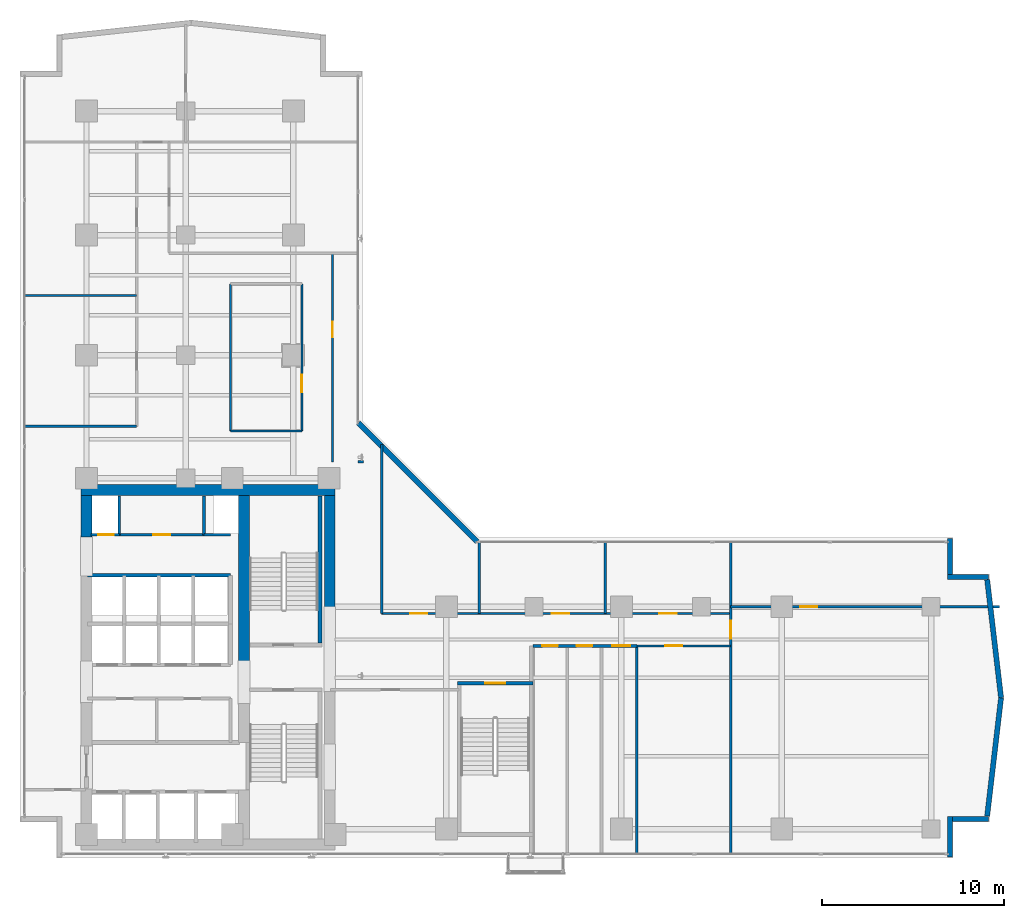
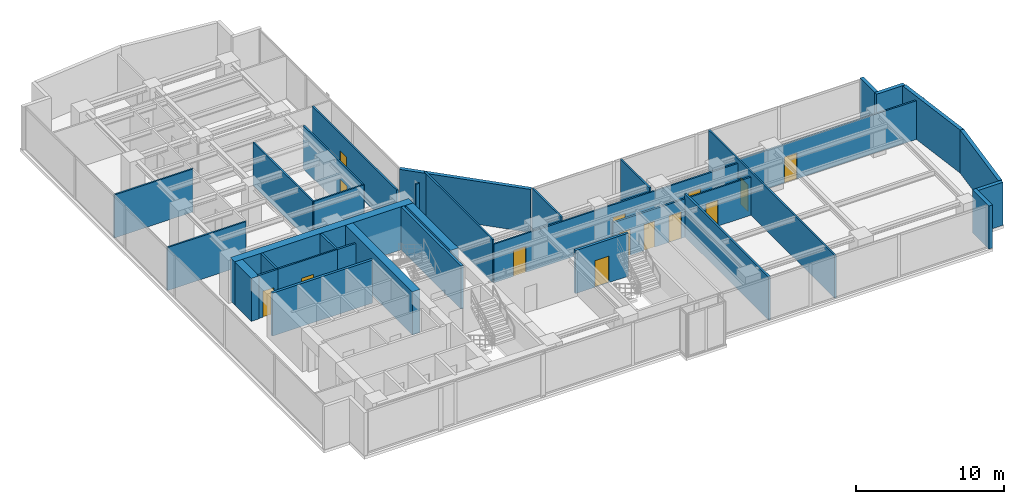
# One storey, part 20 of 23: 35 walls, 14 doors, 14 openings.
"""IFC4 building model written with IfcOpenShell, lengths in metres."""

from ifc_helpers import new_model, si_unit, direction, frame, frame_2d, origin, place, context, subcontext, project, spatial, rectangle, extrude, material, layer, layer_set, type_object, element, fill, save


model = new_model("IFC4")

# Units and contexts
model_context = context("Model", 3, precision=1e-05, world=origin(), true_north=direction((0.0, 1.0)))
body_context = subcontext(model_context, "Body", "Model", "MODEL_VIEW")
ifc_project = project(units=[si_unit("LENGTHUNIT", "METRE"), si_unit("AREAUNIT", "SQUARE_METRE"), si_unit("VOLUMEUNIT", "CUBIC_METRE"), si_unit("PLANEANGLEUNIT", "RADIAN"), si_unit("MASSUNIT", "GRAM", prefix="KILO")], contexts=[model_context])

# Site, building, storey
site_placement = place(None, origin())
site = spatial("IfcSite", under=ifc_project, at=site_placement, CompositionType="ELEMENT")
building_placement = place(site_placement, origin())
building = spatial("IfcBuilding", under=site, at=building_placement, Name="Kolvaren Waterfront Exchange", CompositionType="ELEMENT")
storey_placement = place(building_placement, frame((0.0, 0.0, 188.0)))
storey = spatial("IfcBuildingStorey", under=building, at=storey_placement, Name="L48", CompositionType="ELEMENT", Elevation=188.0)

# Walls
ifc_material_1 = material(Name="Precast concrete C40/50", Category="concrete")
ifc_layer_1 = layer(ifc_material_1, 0.280029296875, Name="Precast concrete C40/50")
ifc_layer_set_1 = layer_set([ifc_layer_1], Name="Precast concrete C40/50")
wall_type_1 = type_object("IfcWallType", Name="ARC-EXT-TERR-280", PredefinedType="SOLIDWALL", material=ifc_layer_set_1)
wall_1_placement = place(storey_placement, frame((54.840087890625, 3.659912109375, 0.0), z_axis=(0.0, 0.0, 1.0), x_axis=(0.0, 1.0, 0.0)))
element("IfcWall", 1, at=wall_1_placement, inside=storey, type_object=wall_type_1, Name="L48 notched corner spandrel pier SE-A", PredefinedType="SOLIDWALL", context=body_context, shape_type="SweptSolid", body=[
    extrude(rectangle(XDim=2.239990234375, YDim=0.280029296875, at=frame_2d((1.1201171875, 0.0))), origin(), (0.0, 0.0, 1.0), 3.56005859375),
])
wall_2_placement = place(storey_placement, frame((54.97998046875, 5.760009765625, 0.0), z_axis=(0.0, 0.0, 1.0), x_axis=(1.0, 0.0, 0.0)))
element("IfcWall", 2, at=wall_2_placement, inside=storey, type_object=wall_type_1, Name="L48 notched corner spandrel pier SE-B", PredefinedType="SOLIDWALL", context=body_context, shape_type="SweptSolid", body=[
    extrude(rectangle(XDim=1.9599609375, YDim=0.280029296875, at=frame_2d((0.97998046875, 0.0))), origin(), (0.0, 0.0, 1.0), 3.56005859375),
])
wall_3_placement = place(storey_placement, frame((54.840087890625, 19.1650390625, 0.0), z_axis=(0.0, 0.0, 1.0), x_axis=(0.0, 1.0, 0.0)))
element("IfcWall", 3, at=wall_3_placement, inside=storey, type_object=wall_type_1, Name="L48 notched corner spandrel pier ENE-A", PredefinedType="SOLIDWALL", context=body_context, shape_type="SweptSolid", body=[
    extrude(rectangle(XDim=1.974853515625, YDim=0.280029296875, at=frame_2d((0.9873046875, 0.0))), origin(), (0.0, 0.0, 1.0), 3.56005859375),
])
wall_4_placement = place(storey_placement, frame((54.699951171875, 19.0400390625, 0.0), z_axis=(0.0, 0.0, 1.0), x_axis=(1.0, 0.0, 0.0)))
element("IfcWall", 4, at=wall_4_placement, inside=storey, type_object=wall_type_1, Name="L48 notched corner spandrel pier ENE-B", PredefinedType="SOLIDWALL", context=body_context, shape_type="SweptSolid", body=[
    extrude(rectangle(XDim=2.239990234375, YDim=0.280029296875, at=frame_2d((1.1201171875, 0.0))), origin(), (0.0, 0.0, 1.0), 3.56005859375),
])
wall_5_placement = place(storey_placement, frame((28.885009765625, 20.97509765625, 0.0), z_axis=(0.0, 0.0, 1.0), x_axis=(-0.707106781187, 0.707106781187, 0.0)))
element("IfcWall", 5, at=wall_5_placement, inside=storey, type_object=wall_type_1, Name="L48 notched corner spandrel pier ELBOW", PredefinedType="SOLIDWALL", context=body_context, shape_type="SweptSolid", body=[
    extrude(rectangle(XDim=9.20654296875, YDim=0.280029296875, at=frame_2d((4.603271484375, 0.0))), origin(), (0.0, 0.0, 1.0), 3.56005859375),
])
for number, where, z_axis, x_axis, name in (
    (6, (56.876220703125, 5.91650390625, 0.0), (0.0, 0.0, 1.0), (0.11685426921, 0.993149072278, 0.0), "L48 east prow faceted facade wall 1"),
    (7, (57.638916015625, 12.401123046875, 0.0), (0.0, 0.0, 1.0), (-0.11685426921, 0.993149072278, 0.0), "L48 east prow faceted facade wall 2"),
):
    element("IfcWall", number, at=place(storey_placement, frame(where, z_axis=z_axis, x_axis=x_axis)), inside=storey, type_object=wall_type_1, Name=name, PredefinedType="SOLIDWALL", context=body_context, shape_type="SweptSolid", body=[
        extrude(rectangle(XDim=6.52685546875, YDim=0.280029296875, at=frame_2d((3.263427734375, 0.0))), origin(), (0.0, 0.0, 1.0), 3.56005859375),
    ])

# Wall, opening, door
ifc_material_2 = material(Name="Acoustic gypsum steel stud", Category="steel")
ifc_layer_2 = layer(ifc_material_2, 0.125, Name="Acoustic gypsum steel stud")
ifc_layer_set_2 = layer_set([ifc_layer_2], Name="Acoustic gypsum steel stud")
wall_type_2 = type_object("IfcWallType", Name="ARC-PART-125", PredefinedType="PARTITIONING", material=ifc_layer_set_2)
wall_6_placement = place(storey_placement, frame((9.25, 21.35009765625, 0.0), z_axis=(0.0, 0.0, 1.0), x_axis=(1.0, 0.0, 0.0)))
wall_6 = element("IfcWall", 8, at=wall_6_placement, inside=storey, type_object=wall_type_2, Name="L48 interior wall PW-L48-SVC-EX-S", PredefinedType="PARTITIONING", context=body_context, shape_type="SweptSolid", body=[
    extrude(rectangle(XDim=4.64990234375, YDim=0.125, at=frame_2d((2.324951171875, 0.0))), origin(), (0.0, 0.0, 1.0), 3.56005859375),
])
opening_1_placement = place(wall_6_placement, frame((1.85009765625, 0.0, 0.0)))
opening_1 = element("IfcOpeningElement", 9, at=opening_1_placement, cuts=wall_6, Name="Opening D02", PredefinedType="OPENING", context=body_context, shape_type="SweptSolid", body=[
    extrude(rectangle(XDim=0.949951171875, YDim=2.14990234375, at=frame_2d((0.47509765625, 1.074951171875))), frame((0.0, 0.072509765625, 0.0), z_axis=(0.0, -1.0, 0.0), x_axis=(1.0, 0.0, 0.0)), (0.0, 0.0, 1.0), 0.14501953125),
])
ifc_material_3 = material(Name="Oak veneer acoustic timber", Category="wood")
door_type_1 = type_object("IfcDoorType", Name="ARC-DR-950", OperationType="NOTDEFINED", PredefinedType="DOOR", material=ifc_material_3)
door_1_placement = place(opening_1_placement, origin())
door_1 = element("IfcDoor", 10, at=door_1_placement, inside=storey, type_object=door_type_1, Name="L48 door DR-L48-SVC-DR-1 (D02)", OperationType="SINGLE_SWING_LEFT", OverallHeight=2.14990234375, OverallWidth=0.949951171875, PredefinedType="DOOR", context=body_context, shape_type="SweptSolid", body=[
    extrude(rectangle(XDim=0.949951171875, YDim=2.14990234375, at=frame_2d((0.47509765625, 1.074951171875))), frame((0.0, 0.02490234375, 0.0), z_axis=(0.0, -1.0, 0.0), x_axis=(1.0, 0.0, 0.0)), (0.0, 0.0, 1.0), 0.050048828125),
])
fill(opening_1, door_1)

# Walls
wall_7_placement = place(storey_placement, frame((15.35009765625, 27.050048828125, 0.0), z_axis=(0.0, 0.0, 1.0), x_axis=(1.0, 0.0, 0.0)))
element("IfcWall", 11, at=wall_7_placement, inside=storey, type_object=wall_type_2, Name="L48 interior wall PW-L48-ISL-S", PredefinedType="PARTITIONING", context=body_context, shape_type="SweptSolid", body=[
    extrude(rectangle(XDim=3.919921875, YDim=0.125, at=frame_2d((1.9599609375, 0.0))), origin(), (0.0, 0.0, 1.0), 3.56005859375),
])
wall_8_placement = place(storey_placement, frame((15.35009765625, 27.050048828125, 0.0), z_axis=(0.0, 0.0, 1.0), x_axis=(0.0, 1.0, 0.0)))
element("IfcWall", 12, at=wall_8_placement, inside=storey, type_object=wall_type_2, Name="L48 interior wall PW-L48-ISL-W", PredefinedType="PARTITIONING", context=body_context, shape_type="SweptSolid", body=[
    extrude(rectangle(XDim=8.070068359375, YDim=0.125, at=frame_2d((4.03515625, 0.0))), origin(), (0.0, 0.0, 1.0), 3.56005859375),
])

# Wall, opening, door
wall_9_placement = place(storey_placement, frame((19.27001953125, 27.050048828125, 0.0), z_axis=(0.0, 0.0, 1.0), x_axis=(0.0, 1.0, 0.0)))
wall_9 = element("IfcWall", 13, at=wall_9_placement, inside=storey, type_object=wall_type_2, Name="L48 interior wall PW-L48-ISL-E", PredefinedType="PARTITIONING", context=body_context, shape_type="SweptSolid", body=[
    extrude(rectangle(XDim=8.070068359375, YDim=0.125, at=frame_2d((4.03515625, 0.0))), origin(), (0.0, 0.0, 1.0), 3.56005859375),
])
opening_2_placement = place(wall_9_placement, frame((2.126708984375, 0.0, 0.0)))
opening_2 = element("IfcOpeningElement", 14, at=opening_2_placement, cuts=wall_9, Name="Opening D02", PredefinedType="OPENING", context=body_context, shape_type="SweptSolid", body=[
    extrude(rectangle(XDim=0.949951171875, YDim=2.14990234375, at=frame_2d((0.47509765625, 1.074951171875))), frame((0.0, 0.072509765625, 0.0), z_axis=(0.0, -1.0, 0.0), x_axis=(1.0, 0.0, 0.0)), (0.0, 0.0, 1.0), 0.14501953125),
])
door_2_placement = place(opening_2_placement, origin())
door_2 = element("IfcDoor", 15, at=door_2_placement, inside=storey, type_object=door_type_1, Name="L48 door DR-L48-ISL-D (D02)", OperationType="SINGLE_SWING_RIGHT", OverallHeight=2.14990234375, OverallWidth=0.949951171875, PredefinedType="DOOR", context=body_context, shape_type="SweptSolid", body=[
    extrude(rectangle(XDim=0.949951171875, YDim=2.14990234375, at=frame_2d((0.47509765625, 1.074951171875))), frame((0.0, 0.02490234375, 0.0), z_axis=(0.0, -1.0, 0.0), x_axis=(1.0, 0.0, 0.0)), (0.0, 0.0, 1.0), 0.050048828125),
])
fill(opening_2, door_2)

wall_10_placement = place(storey_placement, frame((20.949951171875, 25.35009765625, 0.0), z_axis=(0.0, 0.0, 1.0), x_axis=(0.0, 1.0, 0.0)))
wall_10 = element("IfcWall", 16, at=wall_10_placement, inside=storey, type_object=wall_type_2, Name="L48 interior wall PW-L48-RFLANK-W", PredefinedType="PARTITIONING", context=body_context, shape_type="SweptSolid", body=[
    extrude(rectangle(XDim=11.449951171875, YDim=0.125, at=frame_2d((5.72509765625, 0.0))), origin(), (0.0, 0.0, 1.0), 3.56005859375),
])
opening_3_placement = place(wall_10_placement, frame((6.834716796875, 0.0, 0.0)))
opening_3 = element("IfcOpeningElement", 17, at=opening_3_placement, cuts=wall_10, Name="Opening D01", PredefinedType="OPENING", context=body_context, shape_type="SweptSolid", body=[
    extrude(rectangle(XDim=0.85009765625, YDim=2.14990234375, at=frame_2d((0.425048828125, 1.074951171875))), frame((0.0, 0.072509765625, 0.0), z_axis=(0.0, -1.0, 0.0), x_axis=(1.0, 0.0, 0.0)), (0.0, 0.0, 1.0), 0.14501953125),
])
ifc_material_4 = material(Name="Oak veneer timber leaf", Category="wood")
door_type_2 = type_object("IfcDoorType", Name="ARC-DR-900", OperationType="NOTDEFINED", PredefinedType="DOOR", material=ifc_material_4)
door_3_placement = place(opening_3_placement, origin())
door_3 = element("IfcDoor", 18, at=door_3_placement, inside=storey, type_object=door_type_2, Name="L48 door DR-L48-RFLANK-D (D01)", OperationType="SINGLE_SWING_RIGHT", OverallHeight=2.14990234375, OverallWidth=0.85009765625, PredefinedType="DOOR", context=body_context, shape_type="SweptSolid", body=[
    extrude(rectangle(XDim=0.85009765625, YDim=2.14990234375, at=frame_2d((0.425048828125, 1.074951171875))), frame((0.0, 0.02490234375, 0.0), z_axis=(0.0, -1.0, 0.0), x_axis=(1.0, 0.0, 0.0)), (0.0, 0.0, 1.0), 0.050048828125),
])
fill(opening_3, door_3)

# Wall
wall_11_placement = place(storey_placement, frame((22.64990234375, 25.35009765625, 0.0), z_axis=(0.0, 0.0, 1.0), x_axis=(-1.0, 0.0, 0.0)))
element("IfcWall", 19, at=wall_11_placement, inside=storey, type_object=wall_type_2, Name="L48 interior wall PW-L48-RFLANK-S", PredefinedType="PARTITIONING", context=body_context, shape_type="SweptSolid", body=[
    extrude(rectangle(XDim=0.289794921875, YDim=0.125, at=frame_2d((0.14501953125, 0.0))), origin(), (0.0, 0.0, 1.0), 3.56005859375),
])

# Wall, opening, door
wall_12_placement = place(storey_placement, frame((37.64990234375, 15.25, 0.0), z_axis=(0.0, 0.0, 1.0), x_axis=(1.0, 0.0, 0.0)))
wall_12 = element("IfcWall", 20, at=wall_12_placement, inside=storey, type_object=wall_type_2, Name="L48 interior wall PW-L48-ES-CORR", PredefinedType="PARTITIONING", context=body_context, shape_type="SweptSolid", body=[
    extrude(rectangle(XDim=5.150146484375, YDim=0.125, at=frame_2d((2.5751953125, 0.0))), origin(), (0.0, 0.0, 1.0), 3.159912109375),
])
opening_4_placement = place(wall_12_placement, frame((1.552978515625, 0.0, 0.0)))
opening_4 = element("IfcOpeningElement", 21, at=opening_4_placement, cuts=wall_12, Name="Opening D02", PredefinedType="OPENING", context=body_context, shape_type="SweptSolid", body=[
    extrude(rectangle(XDim=0.949951171875, YDim=2.14990234375, at=frame_2d((0.47509765625, 1.074951171875))), frame((0.0, 0.072509765625, 0.0), z_axis=(0.0, -1.0, 0.0), x_axis=(1.0, 0.0, 0.0)), (0.0, 0.0, 1.0), 0.14501953125),
])
door_4_placement = place(opening_4_placement, origin())
door_4 = element("IfcDoor", 22, at=door_4_placement, inside=storey, type_object=door_type_1, Name="L48 door DR-L48-ES-D-1 (D02)", OperationType="SINGLE_SWING_LEFT", OverallHeight=2.14990234375, OverallWidth=0.949951171875, PredefinedType="DOOR", context=body_context, shape_type="SweptSolid", body=[
    extrude(rectangle(XDim=0.949951171875, YDim=2.14990234375, at=frame_2d((0.47509765625, 1.074951171875))), frame((0.0, 0.02490234375, 0.0), z_axis=(0.0, -1.0, 0.0), x_axis=(1.0, 0.0, 0.0)), (0.0, 0.0, 1.0), 0.050048828125),
])
fill(opening_4, door_4)

wall_13_placement = place(storey_placement, frame((42.800048828125, 3.840087890625, 0.0), z_axis=(0.0, 0.0, 1.0), x_axis=(0.0, 1.0, 0.0)))
wall_13 = element("IfcWall", 23, at=wall_13_placement, inside=storey, type_object=wall_type_2, Name="L48 interior wall PW-L48-ETIP-W", PredefinedType="PARTITIONING", context=body_context, shape_type="SweptSolid", body=[
    extrude(rectangle(XDim=17.119873046875, YDim=0.125, at=frame_2d((8.56005859375, 0.0))), origin(), (0.0, 0.0, 1.0), 3.56005859375),
])
opening_5_placement = place(wall_13_placement, frame((11.800048828125, 0.0, 0.0)))
opening_5 = element("IfcOpeningElement", 24, at=opening_5_placement, cuts=wall_13, Name="Opening D03", PredefinedType="OPENING", context=body_context, shape_type="SweptSolid", body=[
    extrude(rectangle(XDim=1.0, YDim=2.199951171875, at=frame_2d((0.5, 1.10009765625))), frame((0.0, 0.072509765625, 0.0), z_axis=(0.0, -1.0, 0.0), x_axis=(1.0, 0.0, 0.0)), (0.0, 0.0, 1.0), 0.14501953125),
])
ifc_material_5 = material(Name="Oak veneer accessible timber", Category="wood")
door_type_3 = type_object("IfcDoorType", Name="ARC-DR-1000", OperationType="NOTDEFINED", PredefinedType="DOOR", material=ifc_material_5)
door_5_placement = place(opening_5_placement, origin())
door_5 = element("IfcDoor", 25, at=door_5_placement, inside=storey, type_object=door_type_3, Name="L48 door DR-L48-ETIP1-D (D03)", OperationType="SINGLE_SWING_RIGHT", OverallHeight=2.199951171875, OverallWidth=1.0, PredefinedType="DOOR", context=body_context, shape_type="SweptSolid", body=[
    extrude(rectangle(XDim=1.0, YDim=2.199951171875, at=frame_2d((0.5, 1.10009765625))), frame((0.0, 0.02490234375, 0.0), z_axis=(0.0, -1.0, 0.0), x_axis=(1.0, 0.0, 0.0)), (0.0, 0.0, 1.0), 0.050048828125),
])
fill(opening_5, door_5)

wall_14_placement = place(storey_placement, frame((42.800048828125, 17.39990234375, 0.0), z_axis=(0.0, 0.0, 1.0), x_axis=(1.0, 0.0, 0.0)))
wall_14 = element("IfcWall", 26, at=wall_14_placement, inside=storey, type_object=wall_type_2, Name="L48 interior wall PW-L48-ETIP-MID", PredefinedType="PARTITIONING", context=body_context, shape_type="SweptSolid", body=[
    extrude(rectangle(XDim=14.760009765625, YDim=0.125, at=frame_2d((7.3798828125, 0.0))), origin(), (0.0, 0.0, 1.0), 3.199951171875),
])
opening_6_placement = place(wall_14_placement, frame((3.8125, 0.0, 0.0)))
opening_6 = element("IfcOpeningElement", 27, at=opening_6_placement, cuts=wall_14, Name="Opening D02", PredefinedType="OPENING", context=body_context, shape_type="SweptSolid", body=[
    extrude(rectangle(XDim=0.949951171875, YDim=2.14990234375, at=frame_2d((0.47509765625, 1.074951171875))), frame((0.0, 0.072509765625, 0.0), z_axis=(0.0, -1.0, 0.0), x_axis=(1.0, 0.0, 0.0)), (0.0, 0.0, 1.0), 0.14501953125),
])
door_6_placement = place(opening_6_placement, origin())
door_6 = element("IfcDoor", 28, at=door_6_placement, inside=storey, type_object=door_type_1, Name="L48 door DR-L48-ETIP2-D (D02)", OperationType="SINGLE_SWING_LEFT", OverallHeight=2.14990234375, OverallWidth=0.949951171875, PredefinedType="DOOR", context=body_context, shape_type="SweptSolid", body=[
    extrude(rectangle(XDim=0.949951171875, YDim=2.14990234375, at=frame_2d((0.47509765625, 1.074951171875))), frame((0.0, 0.02490234375, 0.0), z_axis=(0.0, -1.0, 0.0), x_axis=(1.0, 0.0, 0.0)), (0.0, 0.0, 1.0), 0.050048828125),
])
fill(opening_6, door_6)

# Wall
wall_15_placement = place(storey_placement, frame((23.64990234375, 17.030029296875, 0.0), z_axis=(0.0, 0.0, 1.0), x_axis=(0.0, 1.0, 0.0)))
element("IfcWall", 29, at=wall_15_placement, inside=storey, type_object=wall_type_2, Name="L48 interior wall PW-L48-EN-W0", PredefinedType="PARTITIONING", context=body_context, shape_type="SweptSolid", body=[
    extrude(rectangle(XDim=9.280029296875, YDim=0.125, at=frame_2d((4.64013671875, 0.0))), origin(), (0.0, 0.0, 1.0), 3.56005859375),
])

# Wall, openings, doors
wall_16_placement = place(storey_placement, frame((23.64990234375, 17.030029296875, 0.0), z_axis=(0.0, 0.0, 1.0), x_axis=(1.0, 0.0, 0.0)))
wall_16 = element("IfcWall", 30, at=wall_16_placement, inside=storey, type_object=wall_type_2, Name="L48 interior wall PW-L48-EN-CORR", PredefinedType="PARTITIONING", context=body_context, shape_type="SweptSolid", body=[
    extrude(rectangle(XDim=19.150146484375, YDim=0.125, at=frame_2d((9.5751953125, 0.0))), origin(), (0.0, 0.0, 1.0), 3.199951171875),
])
opening_7_placement = place(wall_16_placement, frame((1.55517578125, 0.0, 0.0)))
opening_7 = element("IfcOpeningElement", 31, at=opening_7_placement, cuts=wall_16, Name="Opening D02", PredefinedType="OPENING", context=body_context, shape_type="SweptSolid", body=[
    extrude(rectangle(XDim=0.949951171875, YDim=2.14990234375, at=frame_2d((0.47509765625, 1.074951171875))), frame((0.0, 0.072509765625, 0.0), z_axis=(0.0, -1.0, 0.0), x_axis=(1.0, 0.0, 0.0)), (0.0, 0.0, 1.0), 0.14501953125),
])
opening_8_placement = place(wall_16_placement, frame((9.33642578125, 0.0, 0.0)))
opening_8 = element("IfcOpeningElement", 32, at=opening_8_placement, cuts=wall_16, Name="Opening D02", PredefinedType="OPENING", context=body_context, shape_type="SweptSolid", body=[
    extrude(rectangle(XDim=0.949951171875, YDim=2.14990234375, at=frame_2d((0.47509765625, 1.074951171875))), frame((0.0, 0.072509765625, 0.0), z_axis=(0.0, -1.0, 0.0), x_axis=(1.0, 0.0, 0.0)), (0.0, 0.0, 1.0), 0.14501953125),
])
opening_9_placement = place(wall_16_placement, frame((15.22998046875, 0.0, 0.0)))
opening_9 = element("IfcOpeningElement", 33, at=opening_9_placement, cuts=wall_16, Name="Opening D02", PredefinedType="OPENING", context=body_context, shape_type="SweptSolid", body=[
    extrude(rectangle(XDim=0.949951171875, YDim=2.14990234375, at=frame_2d((0.47509765625, 1.074951171875))), frame((0.0, 0.072509765625, 0.0), z_axis=(0.0, -1.0, 0.0), x_axis=(1.0, 0.0, 0.0)), (0.0, 0.0, 1.0), 0.14501953125),
])
door_7_placement = place(opening_7_placement, origin())
door_7 = element("IfcDoor", 34, at=door_7_placement, inside=storey, type_object=door_type_1, Name="L48 door DR-L48-EN-D-1 (D02)", OperationType="SINGLE_SWING_RIGHT", OverallHeight=2.14990234375, OverallWidth=0.949951171875, PredefinedType="DOOR", context=body_context, shape_type="SweptSolid", body=[
    extrude(rectangle(XDim=0.949951171875, YDim=2.14990234375, at=frame_2d((0.47509765625, 1.074951171875))), frame((0.0, 0.02490234375, 0.0), z_axis=(0.0, -1.0, 0.0), x_axis=(1.0, 0.0, 0.0)), (0.0, 0.0, 1.0), 0.050048828125),
])
fill(opening_7, door_7)
door_8_placement = place(opening_8_placement, origin())
door_8 = element("IfcDoor", 35, at=door_8_placement, inside=storey, type_object=door_type_1, Name="L48 door DR-L48-EN-D-2 (D02)", OperationType="SINGLE_SWING_LEFT", OverallHeight=2.14990234375, OverallWidth=0.949951171875, PredefinedType="DOOR", context=body_context, shape_type="SweptSolid", body=[
    extrude(rectangle(XDim=0.949951171875, YDim=2.14990234375, at=frame_2d((0.47509765625, 1.074951171875))), frame((0.0, 0.02490234375, 0.0), z_axis=(0.0, -1.0, 0.0), x_axis=(1.0, 0.0, 0.0)), (0.0, 0.0, 1.0), 0.050048828125),
])
fill(opening_8, door_8)
door_9_placement = place(opening_9_placement, origin())
door_9 = element("IfcDoor", 36, at=door_9_placement, inside=storey, type_object=door_type_1, Name="L48 door DR-L48-EN-D-3 (D02)", OperationType="SINGLE_SWING_RIGHT", OverallHeight=2.14990234375, OverallWidth=0.949951171875, PredefinedType="DOOR", context=body_context, shape_type="SweptSolid", body=[
    extrude(rectangle(XDim=0.949951171875, YDim=2.14990234375, at=frame_2d((0.47509765625, 1.074951171875))), frame((0.0, 0.02490234375, 0.0), z_axis=(0.0, -1.0, 0.0), x_axis=(1.0, 0.0, 0.0)), (0.0, 0.0, 1.0), 0.050048828125),
])
fill(opening_9, door_9)

# Walls
for number, where, z_axis, x_axis, name in (
    (37, (29.010009765625, 17.030029296875, 0.0), (0.0, 0.0, 1.0), (0.0, 1.0, 0.0), "L48 interior wall PW-L48-EN-DIV-1"),
    (38, (35.909912109375, 17.030029296875, 0.0), (0.0, 0.0, 1.0), (0.0, 1.0, 0.0), "L48 interior wall PW-L48-EN-DIV-2"),
):
    element("IfcWall", number, at=place(storey_placement, frame(where, z_axis=z_axis, x_axis=x_axis)), inside=storey, type_object=wall_type_2, Name=name, PredefinedType="PARTITIONING", context=body_context, shape_type="SweptSolid", body=[
        extrude(rectangle(XDim=3.929931640625, YDim=0.125, at=frame_2d((1.96484375, 0.0))), origin(), (0.0, 0.0, 1.0), 3.56005859375),
    ])
for number, where, z_axis, x_axis, name in (
    (39, (4.0400390625, 27.300048828125, 0.0), (0.0, 0.0, 1.0), (1.0, 0.0, 0.0), "L48 interior wall PW-L48-NW-S0"),
    (40, (4.0400390625, 34.47998046875, 0.0), (0.0, 0.0, 1.0), (1.0, 0.0, 0.0), "L48 interior wall PW-L48-NW-DIV-1"),
):
    element("IfcWall", number, at=place(storey_placement, frame(where, z_axis=z_axis, x_axis=x_axis)), inside=storey, type_object=wall_type_2, Name=name, PredefinedType="PARTITIONING", context=body_context, shape_type="SweptSolid", body=[
        extrude(rectangle(XDim=6.159912109375, YDim=0.125, at=frame_2d((3.080078125, 0.0))), origin(), (0.0, 0.0, 1.0), 3.56005859375),
    ])
ifc_material_6 = material(Name="Gypsum fireboard steel stud", Category="steel")
ifc_layer_3 = layer(ifc_material_6, 0.14990234375, Name="Gypsum fireboard steel stud")
ifc_layer_set_3 = layer_set([ifc_layer_3], Name="Gypsum fireboard steel stud")
wall_type_3 = type_object("IfcWallType", Name="ARC-PART-150", PredefinedType="PARTITIONING", material=ifc_layer_set_3)
for number, where, z_axis, x_axis, name in (
    (41, (9.25, 21.35009765625, 0.0), (0.0, 0.0, 1.0), (0.0, 1.0, 0.0), "L48 interior wall PW-L48-SVC-R1"),
    (42, (13.89990234375, 21.35009765625, 0.0), (0.0, 0.0, 1.0), (0.0, 1.0, 0.0), "L48 interior wall PW-L48-SVC-R2"),
):
    element("IfcWall", number, at=place(storey_placement, frame(where, z_axis=z_axis, x_axis=x_axis)), inside=storey, type_object=wall_type_3, Name=name, PredefinedType="PARTITIONING", context=body_context, shape_type="SweptSolid", body=[
        extrude(rectangle(XDim=2.1298828125, YDim=0.14990234375, at=frame_2d((1.06494140625, 0.0))), origin(), (0.0, 0.0, 1.0), 3.56005859375),
    ])

# Wall, opening, door
wall_17_placement = place(storey_placement, frame((7.699951171875, 21.35009765625, 0.0), z_axis=(0.0, 0.0, 1.0), x_axis=(1.0, 0.0, 0.0)))
wall_17 = element("IfcWall", 43, at=wall_17_placement, inside=storey, type_object=wall_type_3, Name="L48 interior wall PW-L48-SVC-RE-S", PredefinedType="PARTITIONING", context=body_context, shape_type="SweptSolid", body=[
    extrude(rectangle(XDim=1.550048828125, YDim=0.14990234375, at=frame_2d((0.77490234375, 0.0))), origin(), (0.0, 0.0, 1.0), 3.56005859375),
])
opening_10_placement = place(wall_17_placement, frame((0.389892578125, 0.0, 0.0)))
opening_10 = element("IfcOpeningElement", 44, at=opening_10_placement, cuts=wall_17, Name="Opening FD1", PredefinedType="OPENING", context=body_context, shape_type="SweptSolid", body=[
    extrude(rectangle(XDim=0.85009765625, YDim=2.14990234375, at=frame_2d((0.425048828125, 1.074951171875))), frame((0.0, 0.0849609375, 0.0), z_axis=(0.0, -1.0, 0.0), x_axis=(1.0, 0.0, 0.0)), (0.0, 0.0, 1.0), 0.169921875),
])
ifc_material_7 = material(Name="Pressed steel fire leaf", Category="steel")
door_type_4 = type_object("IfcDoorType", Name="ARC-FD-900", OperationType="NOTDEFINED", PredefinedType="DOOR", material=ifc_material_7)
door_10_placement = place(opening_10_placement, origin())
door_10 = element("IfcDoor", 45, at=door_10_placement, inside=storey, type_object=door_type_4, Name="L48 door DR-L48-RISER-E-DR (FD1)", OperationType="SINGLE_SWING_RIGHT", OverallHeight=2.14990234375, OverallWidth=0.85009765625, PredefinedType="DOOR", context=body_context, shape_type="SweptSolid", body=[
    extrude(rectangle(XDim=0.85009765625, YDim=2.14990234375, at=frame_2d((0.425048828125, 1.074951171875))), frame((0.0, 0.02490234375, 0.0), z_axis=(0.0, -1.0, 0.0), x_axis=(1.0, 0.0, 0.0)), (0.0, 0.0, 1.0), 0.050048828125),
])
fill(opening_10, door_10)

# Wall
wall_18_placement = place(storey_placement, frame((13.89990234375, 21.35009765625, 0.0), z_axis=(0.0, 0.0, 1.0), x_axis=(1.0, 0.0, 0.0)))
element("IfcWall", 46, at=wall_18_placement, inside=storey, type_object=wall_type_3, Name="L48 interior wall PW-L48-SVC-RP-S", PredefinedType="PARTITIONING", context=body_context, shape_type="SweptSolid", body=[
    extrude(rectangle(XDim=1.4501953125, YDim=0.14990234375, at=frame_2d((0.72509765625, 0.0))), origin(), (0.0, 0.0, 1.0), 3.56005859375),
])

# Wall, openings, doors
ifc_material_8 = material(Name="Moisture-resistant gypsum stud")
ifc_layer_4 = layer(ifc_material_8, 0.14990234375, Name="Moisture-resistant gypsum stud")
ifc_layer_set_4 = layer_set([ifc_layer_4], Name="Moisture-resistant gypsum stud")
wall_type_4 = type_object("IfcWallType", Name="ARC-PLUMB-150", PredefinedType="PLUMBINGWALL", material=ifc_layer_set_4)
wall_19_placement = place(storey_placement, frame((31.949951171875, 15.25, 0.0), z_axis=(0.0, 0.0, 1.0), x_axis=(1.0, 0.0, 0.0)))
wall_19 = element("IfcWall", 47, at=wall_19_placement, inside=storey, type_object=wall_type_4, Name="L48 interior wall PW-L48-WC-N", PredefinedType="PLUMBINGWALL", context=body_context, shape_type="SweptSolid", body=[
    extrude(rectangle(XDim=5.699951171875, YDim=0.14990234375, at=frame_2d((2.85009765625, 0.0))), origin(), (0.0, 0.0, 1.0), 3.159912109375),
])
opening_11_placement = place(wall_19_placement, frame((0.514892578125, 0.0, 0.0)))
opening_11 = element("IfcOpeningElement", 48, at=opening_11_placement, cuts=wall_19, Name="Opening D01", PredefinedType="OPENING", context=body_context, shape_type="SweptSolid", body=[
    extrude(rectangle(XDim=0.85009765625, YDim=2.14990234375, at=frame_2d((0.425048828125, 1.074951171875))), frame((0.0, 0.0849609375, 0.0), z_axis=(0.0, -1.0, 0.0), x_axis=(1.0, 0.0, 0.0)), (0.0, 0.0, 1.0), 0.169921875),
])
opening_12_placement = place(wall_19_placement, frame((2.39501953125, 0.0, 0.0)))
opening_12 = element("IfcOpeningElement", 49, at=opening_12_placement, cuts=wall_19, Name="Opening D01", PredefinedType="OPENING", context=body_context, shape_type="SweptSolid", body=[
    extrude(rectangle(XDim=0.85009765625, YDim=2.14990234375, at=frame_2d((0.425048828125, 1.074951171875))), frame((0.0, 0.0849609375, 0.0), z_axis=(0.0, -1.0, 0.0), x_axis=(1.0, 0.0, 0.0)), (0.0, 0.0, 1.0), 0.169921875),
])
opening_13_placement = place(wall_19_placement, frame((4.35009765625, 0.0, 0.0)))
opening_13 = element("IfcOpeningElement", 50, at=opening_13_placement, cuts=wall_19, Name="Opening D03", PredefinedType="OPENING", context=body_context, shape_type="SweptSolid", body=[
    extrude(rectangle(XDim=1.0, YDim=2.199951171875, at=frame_2d((0.5, 1.10009765625))), frame((0.0, 0.0849609375, 0.0), z_axis=(0.0, -1.0, 0.0), x_axis=(1.0, 0.0, 0.0)), (0.0, 0.0, 1.0), 0.169921875),
])
door_11_placement = place(opening_13_placement, origin())
door_11 = element("IfcDoor", 51, at=door_11_placement, inside=storey, type_object=door_type_3, Name="L48 door DR-L48-WCA-D (D03)", OperationType="SINGLE_SWING_LEFT", OverallHeight=2.199951171875, OverallWidth=1.0, PredefinedType="DOOR", context=body_context, shape_type="SweptSolid", body=[
    extrude(rectangle(XDim=1.0, YDim=2.199951171875, at=frame_2d((0.5, 1.10009765625))), frame((0.0, 0.02490234375, 0.0), z_axis=(0.0, -1.0, 0.0), x_axis=(1.0, 0.0, 0.0)), (0.0, 0.0, 1.0), 0.050048828125),
])
fill(opening_13, door_11)
door_12_placement = place(opening_11_placement, origin())
door_12 = element("IfcDoor", 52, at=door_12_placement, inside=storey, type_object=door_type_2, Name="L48 door DR-L48-WCM-D (D01)", OperationType="SINGLE_SWING_LEFT", OverallHeight=2.14990234375, OverallWidth=0.85009765625, PredefinedType="DOOR", context=body_context, shape_type="SweptSolid", body=[
    extrude(rectangle(XDim=0.85009765625, YDim=2.14990234375, at=frame_2d((0.425048828125, 1.074951171875))), frame((0.0, 0.02490234375, 0.0), z_axis=(0.0, -1.0, 0.0), x_axis=(1.0, 0.0, 0.0)), (0.0, 0.0, 1.0), 0.050048828125),
])
fill(opening_11, door_12)
door_13_placement = place(opening_12_placement, origin())
door_13 = element("IfcDoor", 53, at=door_13_placement, inside=storey, type_object=door_type_2, Name="L48 door DR-L48-WCF-D (D01)", OperationType="SINGLE_SWING_RIGHT", OverallHeight=2.14990234375, OverallWidth=0.85009765625, PredefinedType="DOOR", context=body_context, shape_type="SweptSolid", body=[
    extrude(rectangle(XDim=0.85009765625, YDim=2.14990234375, at=frame_2d((0.425048828125, 1.074951171875))), frame((0.0, 0.02490234375, 0.0), z_axis=(0.0, -1.0, 0.0), x_axis=(1.0, 0.0, 0.0)), (0.0, 0.0, 1.0), 0.050048828125),
])
fill(opening_12, door_13)

# Walls
wall_20_placement = place(storey_placement, frame((37.64990234375, 3.840087890625, 0.0), z_axis=(0.0, 0.0, 1.0), x_axis=(0.0, 1.0, 0.0)))
element("IfcWall", 54, at=wall_20_placement, inside=storey, type_object=wall_type_4, Name="L48 interior wall PW-L48-WC-3", PredefinedType="PLUMBINGWALL", context=body_context, shape_type="SweptSolid", body=[
    extrude(rectangle(XDim=11.409912109375, YDim=0.14990234375, at=frame_2d((5.705078125, 0.0))), origin(), (0.0, 0.0, 1.0), 3.56005859375),
])
ifc_material_9 = material(Name="Concrete C40/50", Category="concrete")
ifc_layer_5 = layer(ifc_material_9, 0.199951171875, Name="Concrete C40/50")
ifc_layer_set_5 = layer_set([ifc_layer_5], Name="Concrete C40/50")
wall_type_5 = type_object("IfcWallType", Name="ARC-SHAFT-200", PredefinedType="PARTITIONING", material=ifc_layer_set_5)
wall_21_placement = place(storey_placement, frame((20.260009765625, 15.39990234375, 0.0), z_axis=(0.0, 0.0, 1.0), x_axis=(0.0, 1.0, 0.0)))
element("IfcWall", 55, at=wall_21_placement, inside=storey, type_object=wall_type_5, Name="L48 structural stairwell wall PW-L48-ST2-E", PredefinedType="SHEAR", context=body_context, shape_type="SweptSolid", body=[
    extrude(rectangle(XDim=8.090087890625, YDim=0.199951171875, at=frame_2d((4.044921875, 0.0))), origin(), (0.0, 0.0, 1.0), 3.56005859375),
])

# Wall, opening, door
wall_22_placement = place(storey_placement, frame((27.800048828125, 13.199951171875, 0.0), z_axis=(0.0, 0.0, 1.0), x_axis=(1.0, 0.0, 0.0)))
wall_22 = element("IfcWall", 56, at=wall_22_placement, inside=storey, type_object=wall_type_5, Name="L48 structural stairwell wall PW-L48-ST3-N", PredefinedType="SHEAR", context=body_context, shape_type="SweptSolid", body=[
    extrude(rectangle(XDim=4.159912109375, YDim=0.199951171875, at=frame_2d((2.080078125, 0.0))), origin(), (0.0, 0.0, 1.0), 3.56005859375),
])
opening_14_placement = place(wall_22_placement, frame((1.530029296875, 0.0, 0.0)))
opening_14 = element("IfcOpeningElement", 57, at=opening_14_placement, cuts=wall_22, Name="Opening FD2", PredefinedType="OPENING", context=body_context, shape_type="SweptSolid", body=[
    extrude(rectangle(XDim=1.10009765625, YDim=2.199951171875, at=frame_2d((0.550048828125, 1.10009765625))), frame((0.0, 0.10986328125, 0.0), z_axis=(0.0, -1.0, 0.0), x_axis=(1.0, 0.0, 0.0)), (0.0, 0.0, 1.0), 0.219970703125),
])
ifc_material_10 = material(Name="Pressed steel smoke-seal fire door", Category="steel")
door_type_5 = type_object("IfcDoorType", Name="ARC-FD-1100", OperationType="NOTDEFINED", PredefinedType="DOOR", material=ifc_material_10)
door_14_placement = place(opening_14_placement, frame((1.10009765625, 0.0, 0.0), z_axis=(0.0, 0.0, 1.0), x_axis=(-1.0, 0.0, 0.0)))
door_14 = element("IfcDoor", 58, at=door_14_placement, inside=storey, type_object=door_type_5, Name="L48 door DR-L48-ST3-IN (FD2)", OperationType="SINGLE_SWING_RIGHT", OverallHeight=2.199951171875, OverallWidth=1.10009765625, PredefinedType="DOOR", context=body_context, shape_type="SweptSolid", body=[
    extrude(rectangle(XDim=1.10009765625, YDim=2.199951171875, at=frame_2d((0.550048828125, 1.10009765625))), frame((0.0, 0.02490234375, 0.0), z_axis=(0.0, -1.0, 0.0), x_axis=(1.0, 0.0, 0.0)), (0.0, 0.0, 1.0), 0.050048828125),
])
fill(opening_14, door_14)

# Walls
wall_23_placement = place(storey_placement, frame((7.5, 19.1201171875, 0.0), z_axis=(0.0, 0.0, 1.0), x_axis=(1.0, 0.0, 0.0)))
element("IfcWall", 59, at=wall_23_placement, inside=storey, type_object=wall_type_5, Name="L48 interior wall PW-L48-PH-N", PredefinedType="PARTITIONING", context=body_context, shape_type="SweptSolid", body=[
    extrude(rectangle(XDim=7.85009765625, YDim=0.199951171875, at=frame_2d((3.925048828125, 0.0))), origin(), (0.0, 0.0, 1.0), 3.56005859375),
])
ifc_material_11 = material(Name="Concrete C60/75", Category="concrete")
ifc_layer_6 = layer(ifc_material_11, 0.60009765625, Name="Concrete C60/75")
ifc_layer_set_6 = layer_set([ifc_layer_6], Name="Concrete C60/75")
wall_type_6 = type_object("IfcWallType", Name="STR-CWALL-600", PredefinedType="SHEAR", material=ifc_layer_set_6)
wall_24_placement = place(storey_placement, frame((7.14990234375, 23.800048828125, 0.0), z_axis=(0.0, 0.0, 1.0), x_axis=(1.0, 0.0, 0.0)))
element("IfcWall", 60, at=wall_24_placement, inside=storey, type_object=wall_type_6, Name="L48 rear-core shear wall N", PredefinedType="SHEAR", context=body_context, shape_type="SweptSolid", body=[
    extrude(rectangle(XDim=13.9501953125, YDim=0.60009765625, at=frame_2d((6.97509765625, 0.0))), origin(), (0.0, 0.0, 1.0), 3.56005859375),
])
wall_25_placement = place(storey_placement, frame((7.449951171875, 21.239990234375, 0.0), z_axis=(0.0, 0.0, 1.0), x_axis=(0.0, 1.0, 0.0)))
element("IfcWall", 61, at=wall_25_placement, inside=storey, type_object=wall_type_6, Name="L48 rear-core shear wall W3", PredefinedType="SHEAR", context=body_context, shape_type="SweptSolid", body=[
    extrude(rectangle(XDim=2.260009765625, YDim=0.60009765625, at=frame_2d((1.1298828125, 0.0))), origin(), (0.0, 0.0, 1.0), 3.56005859375),
])
wall_26_placement = place(storey_placement, frame((20.800048828125, 17.35009765625, 0.0), z_axis=(0.0, 0.0, 1.0), x_axis=(0.0, 1.0, 0.0)))
element("IfcWall", 62, at=wall_26_placement, inside=storey, type_object=wall_type_6, Name="L48 rear-core shear wall E3", PredefinedType="SHEAR", context=body_context, shape_type="SweptSolid", body=[
    extrude(rectangle(XDim=6.14990234375, YDim=0.60009765625, at=frame_2d((3.074951171875, 0.0))), origin(), (0.0, 0.0, 1.0), 3.56005859375),
])
wall_27_placement = place(storey_placement, frame((16.10009765625, 14.39990234375, 0.0), z_axis=(0.0, 0.0, 1.0), x_axis=(0.0, 1.0, 0.0)))
element("IfcWall", 63, at=wall_27_placement, inside=storey, type_object=wall_type_6, Name="L48 rear-core shear wall M3", PredefinedType="SHEAR", context=body_context, shape_type="SweptSolid", body=[
    extrude(rectangle(XDim=9.10009765625, YDim=0.60009765625, at=frame_2d((4.550048828125, 0.0))), origin(), (0.0, 0.0, 1.0), 3.56005859375),
])

save(model, "model.ifc")
